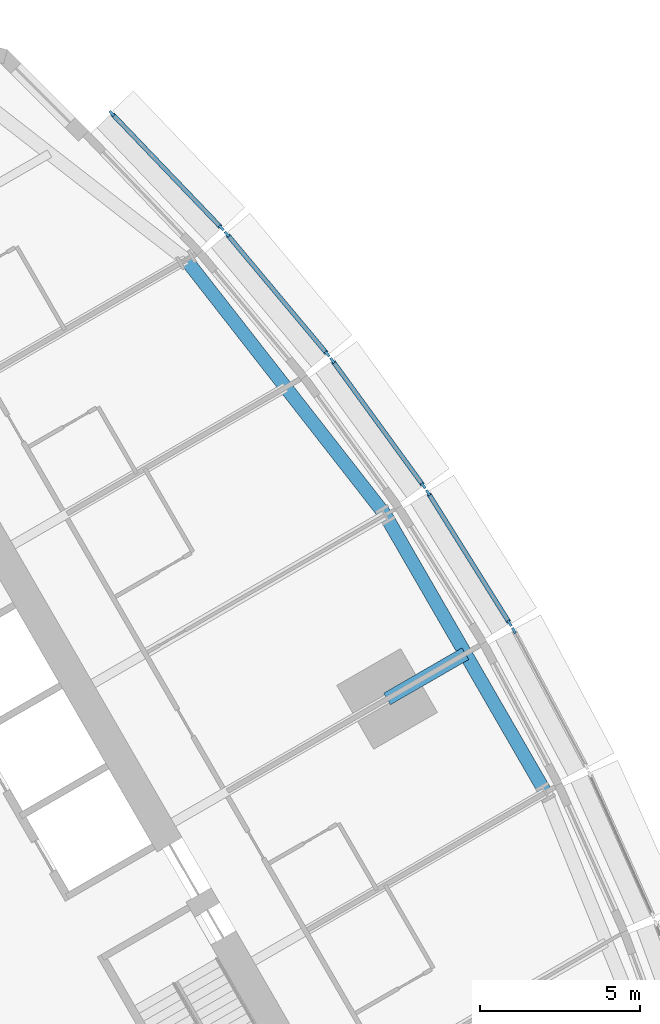
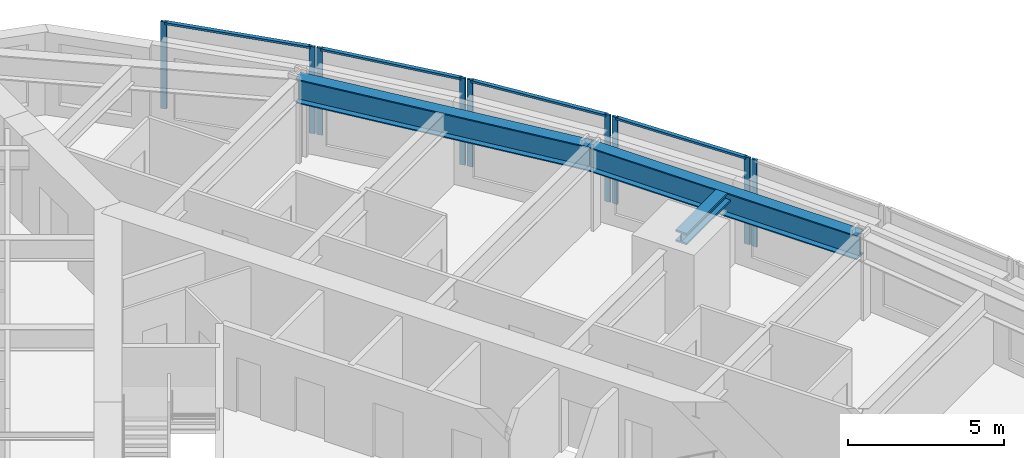
# One storey, part 5 of 14: 13 members, 3 beams, 5 elements without a shape of their own.
"""IFC4 building model written with IfcOpenShell, lengths in metres."""

from ifc_helpers import new_model, si_unit, direction, frame, origin, origin_2d, place, context, subcontext, project, spatial, rectangle, i_section, extrude, material, material_profile, profile_set, type_object, element, aggregate, save


model = new_model("IFC4")

# Units and contexts
model_context = context("Model", 3, precision=1e-05, world=origin(), true_north=direction((0.0, 1.0)))
body_context = subcontext(model_context, "Body", "Model", "MODEL_VIEW")
ifc_project = project(units=[si_unit("LENGTHUNIT", "METRE"), si_unit("AREAUNIT", "SQUARE_METRE"), si_unit("VOLUMEUNIT", "CUBIC_METRE"), si_unit("PLANEANGLEUNIT", "RADIAN"), si_unit("MASSUNIT", "GRAM", prefix="KILO")], contexts=[model_context])

# Site, building, storey
site_placement = place(None, origin())
site = spatial("IfcSite", under=ifc_project, at=site_placement, CompositionType="ELEMENT")
building_placement = place(site_placement, origin())
building = spatial("IfcBuilding", under=site, at=building_placement, Name="Trikona Tower", CompositionType="ELEMENT")
storey_placement = place(building_placement, frame((0.0, 0.0, 145.300048828125)))
storey = spatial("IfcBuildingStorey", under=building, at=storey_placement, Name="L38", CompositionType="ELEMENT", Elevation=145.300048828125)

# Curtain wall, member
ifc_material_1 = material(Name="Aluminium curtain wall system", Category="aluminium")
curtain_wall_type = type_object("IfcCurtainWallType", Name="Curtain wall DS2", PredefinedType="NOTDEFINED", material=ifc_material_1)
curtain_wall_1_placement = place(storey_placement, origin())
curtain_wall_1 = element("IfcCurtainWall", 1, at=curtain_wall_1_placement, inside=storey, type_object=curtain_wall_type, Name="Curtain wall DS2 L38", PredefinedType="NOTDEFINED")
ifc_material_2 = material(Name="Aluminium mullion, pale anodised", Category="aluminium")
ifc_material_profile_1 = material_profile(ifc_material_2, rectangle(XDim=0.080078125, YDim=0.199951171875, at=origin_2d()), Name="MUL-DS2")
ifc_profile_set_1 = profile_set([ifc_material_profile_1], Name="Aluminium mullion, pale anodised")
member_type_1 = type_object("IfcMemberType", Name="Mullion DS2 80x200", PredefinedType="MULLION", material=ifc_profile_set_1)
member_1_placement = place(storey_placement, frame((19.2666015625, 10.9716796875, 0.0), z_axis=(0.0, 0.0, 1.0), x_axis=(-0.882996107343, -0.469380308937, 0.0)))
member_1 = element("IfcMember", 2, at=member_1_placement, type_object=member_type_1, Name="CW-DS2 mullion 2", PredefinedType="MULLION", context=body_context, shape_type="SweptSolid", body=[
    extrude(rectangle(XDim=0.080078125, YDim=0.199951171875, at=origin_2d()), origin(), (0.0, 0.0, 1.0), 3.39990234375),
])
aggregate(curtain_wall_1, [member_1])

# Curtain wall, members
curtain_wall_2_placement = place(storey_placement, origin())
curtain_wall_2 = element("IfcCurtainWall", 3, at=curtain_wall_2_placement, inside=storey, type_object=curtain_wall_type, Name="Curtain wall DS2 L38", PredefinedType="NOTDEFINED")
member_2_placement = place(storey_placement, frame((19.135009765625, 11.199462890625, 0.0), z_axis=(0.0, 0.0, 1.0), x_axis=(-0.847998304006, -0.529998940002, 0.0)))
member_2 = element("IfcMember", 4, at=member_2_placement, type_object=member_type_1, Name="CW-DS2 mullion 1", PredefinedType="MULLION", context=body_context, shape_type="SweptSolid", body=[
    extrude(rectangle(XDim=0.080078125, YDim=0.199951171875, at=origin_2d()), origin(), (0.0, 0.0, 1.0), 3.39990234375),
])
member_3_placement = place(storey_placement, frame((16.589599609375, 15.2724609375, 0.0), z_axis=(0.0, 0.0, 1.0), x_axis=(-0.847998304006, -0.529998940002, 0.0)))
member_3 = element("IfcMember", 5, at=member_3_placement, type_object=member_type_1, Name="CW-DS2 mullion 2", PredefinedType="MULLION", context=body_context, shape_type="SweptSolid", body=[
    extrude(rectangle(XDim=0.080078125, YDim=0.199951171875, at=origin_2d()), origin(), (0.0, 0.0, 1.0), 3.39990234375),
])

curtain_wall_3_placement = place(storey_placement, origin())
curtain_wall_3 = element("IfcCurtainWall", 6, at=curtain_wall_3_placement, inside=storey, type_object=curtain_wall_type, Name="Curtain wall DS2 L38", PredefinedType="NOTDEFINED")
member_4_placement = place(storey_placement, frame((16.442626953125, 15.489990234375, 0.0), z_axis=(0.0, 0.0, 1.0), x_axis=(-0.80908576332, -0.587690588313, 0.0)))
member_4 = element("IfcMember", 7, at=member_4_placement, type_object=member_type_1, Name="CW-DS2 mullion 1", PredefinedType="MULLION", context=body_context, shape_type="SweptSolid", body=[
    extrude(rectangle(XDim=0.080078125, YDim=0.199951171875, at=origin_2d()), origin(), (0.0, 0.0, 1.0), 3.39990234375),
])
member_5_placement = place(storey_placement, frame((13.605712890625, 19.39599609375, 0.0), z_axis=(0.0, 0.0, 1.0), x_axis=(-0.80908576332, -0.587690588313, 0.0)))
member_5 = element("IfcMember", 8, at=member_5_placement, type_object=member_type_1, Name="CW-DS2 mullion 2", PredefinedType="MULLION", context=body_context, shape_type="SweptSolid", body=[
    extrude(rectangle(XDim=0.080078125, YDim=0.199951171875, at=origin_2d()), origin(), (0.0, 0.0, 1.0), 3.39990234375),
])

curtain_wall_4_placement = place(storey_placement, origin())
curtain_wall_4 = element("IfcCurtainWall", 9, at=curtain_wall_4_placement, inside=storey, type_object=curtain_wall_type, Name="Curtain wall DS2 L38", PredefinedType="NOTDEFINED")
member_6_placement = place(storey_placement, frame((13.44482421875, 19.602294921875, 0.0), z_axis=(0.0, 0.0, 1.0), x_axis=(-0.766866678271, -0.641806433248, 0.0)))
member_6 = element("IfcMember", 10, at=member_6_placement, type_object=member_type_1, Name="CW-DS2 mullion 1", PredefinedType="MULLION", context=body_context, shape_type="SweptSolid", body=[
    extrude(rectangle(XDim=0.080078125, YDim=0.199951171875, at=origin_2d()), origin(), (0.0, 0.0, 1.0), 3.39990234375),
])
member_7_placement = place(storey_placement, frame((10.315185546875, 23.34130859375, 0.0), z_axis=(0.0, 0.0, 1.0), x_axis=(-0.766866678271, -0.641806433248, 0.0)))
member_7 = element("IfcMember", 11, at=member_7_placement, type_object=member_type_1, Name="CW-DS2 mullion 2", PredefinedType="MULLION", context=body_context, shape_type="SweptSolid", body=[
    extrude(rectangle(XDim=0.080078125, YDim=0.199951171875, at=origin_2d()), origin(), (0.0, 0.0, 1.0), 3.39990234375),
])

curtain_wall_5_placement = place(storey_placement, origin())
curtain_wall_5 = element("IfcCurtainWall", 12, at=curtain_wall_5_placement, inside=storey, type_object=curtain_wall_type, Name="Curtain wall DS2 L38", PredefinedType="NOTDEFINED")
member_8_placement = place(storey_placement, frame((10.1416015625, 23.535400390625, 0.0), z_axis=(0.0, 0.0, 1.0), x_axis=(-0.722158330767, -0.691727797117, 0.0)))
member_8 = element("IfcMember", 13, at=member_8_placement, type_object=member_type_1, Name="CW-DS2 mullion 1", PredefinedType="MULLION", context=body_context, shape_type="SweptSolid", body=[
    extrude(rectangle(XDim=0.080078125, YDim=0.199951171875, at=origin_2d()), origin(), (0.0, 0.0, 1.0), 3.39990234375),
])
member_9_placement = place(storey_placement, frame((6.718994140625, 27.1083984375, 0.0), z_axis=(0.0, 0.0, 1.0), x_axis=(-0.722158330767, -0.691727797117, 0.0)))
member_9 = element("IfcMember", 14, at=member_9_placement, type_object=member_type_1, Name="CW-DS2 mullion 2", PredefinedType="MULLION", context=body_context, shape_type="SweptSolid", body=[
    extrude(rectangle(XDim=0.080078125, YDim=0.199951171875, at=origin_2d()), origin(), (0.0, 0.0, 1.0), 3.39990234375),
])

# Beams
ifc_material_3 = material(Name="Steel ASTM A992 Grade 50", Category="steel")
ifc_material_profile_2 = material_profile(ifc_material_3, i_section(OverallWidth=0.419189453125, OverallDepth=0.45458984375, WebThickness=0.042236328125, FlangeThickness=0.067626953125, at=origin_2d()), Name="W14X370")
ifc_profile_set_2 = profile_set([ifc_material_profile_2], Name="Steel ASTM A992 Grade 50")
beam_type_1 = type_object("IfcBeamType", Name="Steel beam W14x370 (apex bracket)", PredefinedType="BEAM", material=ifc_profile_set_2)
beam_1_placement = place(storey_placement, frame((15.311767578125, 8.84033203125, 3.007568359375), z_axis=(0.86605005072, 0.499957307824, 0.0), x_axis=(-0.499957307824, 0.86605005072, 0.0)))
element("IfcBeam", 15, at=beam_1_placement, inside=storey, type_object=beam_type_1, Name="Cantilever bracket L39 F2", PredefinedType="BEAM", context=body_context, shape_type="SweptSolid", body=[
    extrude(i_section(OverallWidth=0.419189453125, OverallDepth=0.45458984375, WebThickness=0.042236328125, FlangeThickness=0.067626953125, at=origin_2d()), origin(), (0.0, 0.0, 1.0), 2.819580078125),
])
ifc_material_4 = material(Name="Steel ASTM A992 Grade 50", Category="steel")
ifc_material_profile_3 = material_profile(ifc_material_4, i_section(OverallWidth=0.424072265625, OverallDepth=0.947509765625, WebThickness=0.02392578125, FlangeThickness=0.042724609375, at=origin_2d()), Name="W36X302")
ifc_profile_set_3 = profile_set([ifc_material_profile_3], Name="Steel ASTM A992 Grade 50")
beam_type_2 = type_object("IfcBeamType", Name="Steel beam W36x302 (spandrel)", PredefinedType="SPANDREL", material=ifc_profile_set_3)
beam_2_placement = place(storey_placement, frame((20.253662109375, 5.919921875, 2.76123046875), z_axis=(-0.500004234368, 0.866022959057, 0.0), x_axis=(-0.866022959057, -0.500004234368, 0.0)))
element("IfcBeam", 16, at=beam_2_placement, inside=storey, type_object=beam_type_2, Name="Spandrel beam L39 F2-3", PredefinedType="SPANDREL", context=body_context, shape_type="SweptSolid", body=[
    extrude(i_section(OverallWidth=0.424072265625, OverallDepth=0.947509765625, WebThickness=0.02392578125, FlangeThickness=0.042724609375, at=origin_2d()), origin(), (0.0, 0.0, 1.0), 10.0),
])
beam_3_placement = place(storey_placement, frame((15.253662109375, 14.580078125, 2.76123046875), z_axis=(-0.615232009054, 0.788346101046, 0.0), x_axis=(-0.788346101046, -0.615232009054, 0.0)))
element("IfcBeam", 17, at=beam_3_placement, inside=storey, type_object=beam_type_2, Name="Spandrel beam L39 F2-4", PredefinedType="SPANDREL", context=body_context, shape_type="SweptSolid", body=[
    extrude(i_section(OverallWidth=0.424072265625, OverallDepth=0.947509765625, WebThickness=0.02392578125, FlangeThickness=0.042724609375, at=origin_2d()), origin(), (0.0, 0.0, 1.0), 10.09765625),
])

# Member
ifc_material_5 = material(Name="Aluminium transom, pale anodised", Category="aluminium")
ifc_material_profile_4 = material_profile(ifc_material_5, rectangle(XDim=0.139892578125, YDim=0.080078125, at=origin_2d()), Name="TRN-DS2")
ifc_profile_set_4 = profile_set([ifc_material_profile_4], Name="Aluminium transom, pale anodised")
member_type_2 = type_object("IfcMemberType", Name="Transom DS2 80x140", PredefinedType="USERDEFINED", material=ifc_profile_set_4)
member_10_placement = place(storey_placement, frame((19.114013671875, 11.2333984375, 3.35986328125), z_axis=(-0.530031463794, 0.847977975769, 0.0), x_axis=(-0.847977975769, -0.530031463794, 0.0)))
member_10 = element("IfcMember", 18, at=member_10_placement, type_object=member_type_2, Name="CW-DS2 transom 1.1", ObjectType="TRANSOM", PredefinedType="USERDEFINED", context=body_context, shape_type="SweptSolid", body=[
    extrude(rectangle(XDim=0.139892578125, YDim=0.080078125, at=origin_2d()), origin(), (0.0, 0.0, 1.0), 4.72314453125),
])

aggregate(curtain_wall_2, [member_2, member_3, member_10])

member_11_placement = place(storey_placement, frame((16.419189453125, 15.5224609375, 3.35986328125), z_axis=(-0.587694585883, 0.809082859616, 0.0), x_axis=(-0.809082859616, -0.587694585883, 0.0)))
member_11 = element("IfcMember", 19, at=member_11_placement, type_object=member_type_2, Name="CW-DS2 transom 1.1", ObjectType="TRANSOM", PredefinedType="USERDEFINED", context=body_context, shape_type="SweptSolid", body=[
    extrude(rectangle(XDim=0.139892578125, YDim=0.080078125, at=origin_2d()), origin(), (0.0, 0.0, 1.0), 4.747314453125),
])

aggregate(curtain_wall_3, [member_4, member_5, member_11])

member_12_placement = place(storey_placement, frame((13.4189453125, 19.6328125, 3.35986328125), z_axis=(-0.641770294892, 0.766896921753, 0.0), x_axis=(-0.766896921753, -0.641770294892, 0.0)))
member_12 = element("IfcMember", 20, at=member_12_placement, type_object=member_type_2, Name="CW-DS2 transom 1.1", ObjectType="TRANSOM", PredefinedType="USERDEFINED", context=body_context, shape_type="SweptSolid", body=[
    extrude(rectangle(XDim=0.139892578125, YDim=0.080078125, at=origin_2d()), origin(), (0.0, 0.0, 1.0), 4.7958984375),
])

aggregate(curtain_wall_4, [member_6, member_7, member_12])

member_13_placement = place(storey_placement, frame((10.114013671875, 23.564208984375, 3.35986328125), z_axis=(-0.691721246785, 0.722164605022, 0.0), x_axis=(-0.722164605022, -0.691721246785, 0.0)))
member_13 = element("IfcMember", 21, at=member_13_placement, type_object=member_type_2, Name="CW-DS2 transom 1.1", ObjectType="TRANSOM", PredefinedType="USERDEFINED", context=body_context, shape_type="SweptSolid", body=[
    extrude(rectangle(XDim=0.139892578125, YDim=0.080078125, at=origin_2d()), origin(), (0.0, 0.0, 1.0), 4.867919921875),
])

aggregate(curtain_wall_5, [member_8, member_9, member_13])

save(model, "model.ifc")
